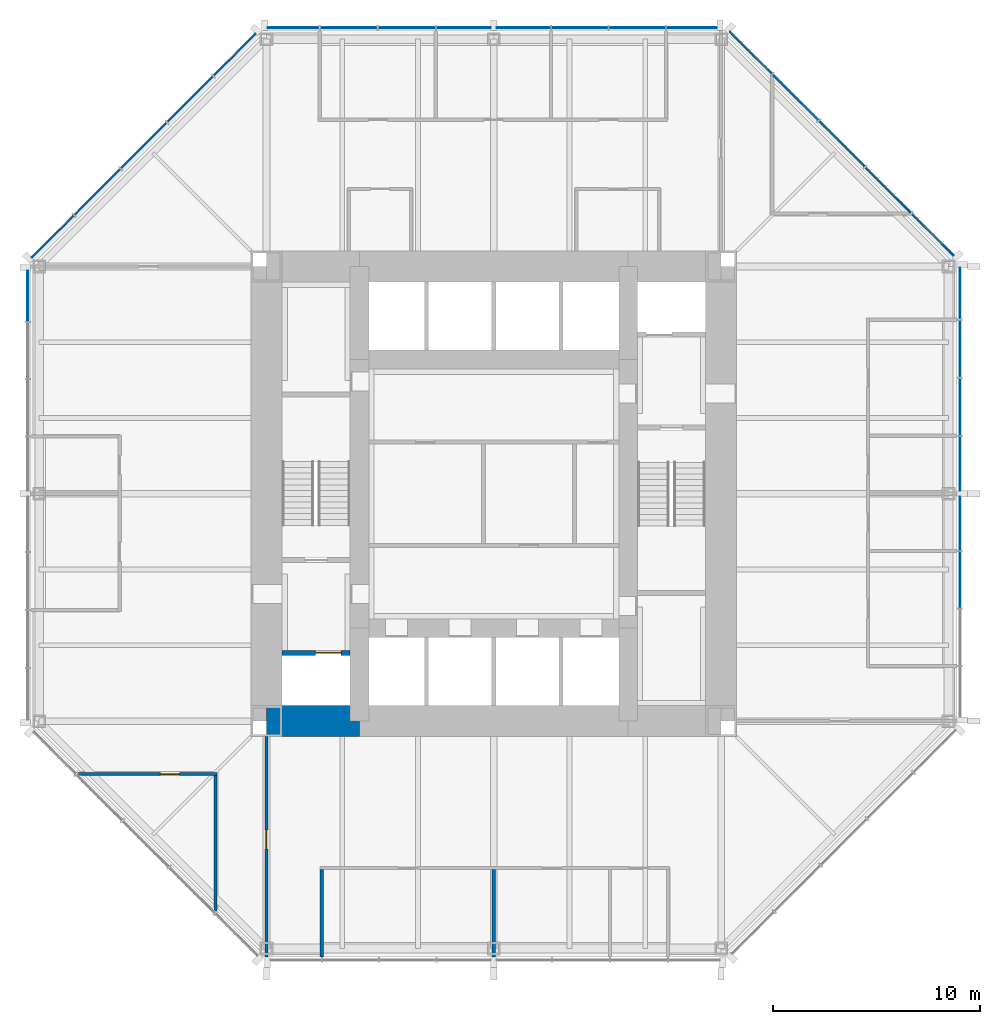
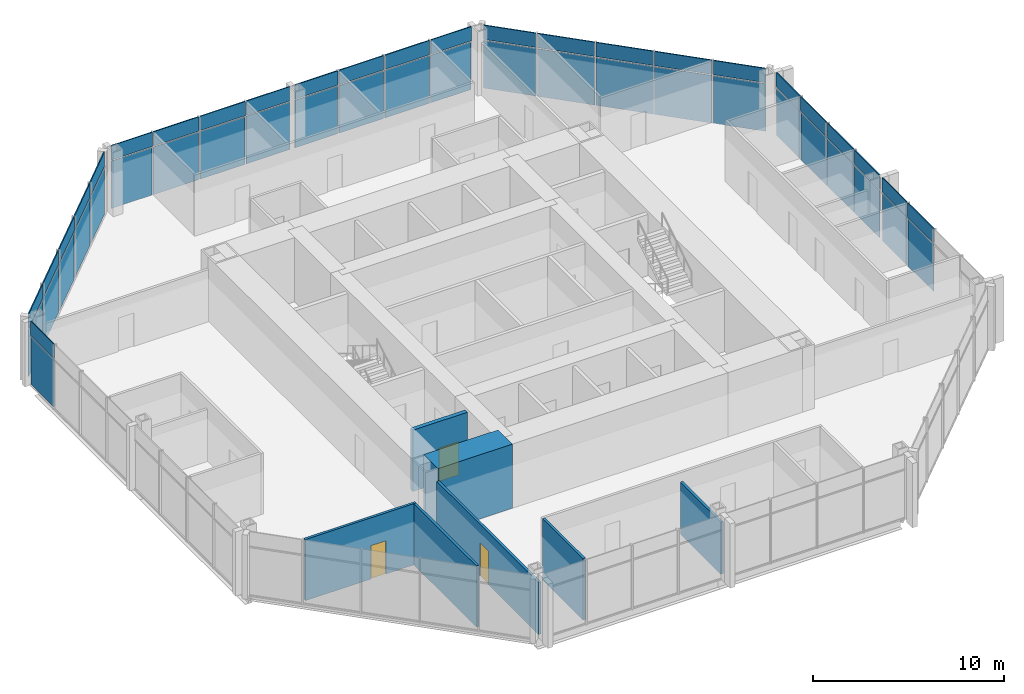
# One storey, part 8 of 12: 50 plates, 7 walls, 3 doors, 3 openings, 5 elements without a shape of their own.
"""IFC4 building model written with IfcOpenShell, lengths in metres."""

from ifc_helpers import new_model, si_unit, direction, frame, frame_2d, origin, origin_2d, place, context, subcontext, project, spatial, rectangle, extrude, material, layer, layer_set, type_object, element, fill, aggregate, save


model = new_model("IFC4")

# Units and contexts
model_context = context("Model", 3, precision=1e-05, world=origin(), true_north=direction((0.0, 1.0)))
body_context = subcontext(model_context, "Body", "Model", "MODEL_VIEW")
ifc_project = project(units=[si_unit("LENGTHUNIT", "METRE"), si_unit("AREAUNIT", "SQUARE_METRE"), si_unit("VOLUMEUNIT", "CUBIC_METRE"), si_unit("PLANEANGLEUNIT", "RADIAN"), si_unit("MASSUNIT", "GRAM", prefix="KILO")], contexts=[model_context])

# Site, building, storey
site_placement = place(None, origin())
site = spatial("IfcSite", under=ifc_project, at=site_placement, CompositionType="ELEMENT")
building_placement = place(site_placement, origin())
building = spatial("IfcBuilding", under=site, at=building_placement, Name="Trevanion Tower", CompositionType="ELEMENT")
storey_placement = place(building_placement, frame((0.0, 0.0, 154.10009765625)))
storey = spatial("IfcBuildingStorey", under=building, at=storey_placement, Name="L36", CompositionType="ELEMENT", Elevation=154.10009765625)

# Curtain wall, plates
ifc_material_1 = material(Name="Aluminium and glass", Category="aluminium")
curtain_wall_type = type_object("IfcCurtainWallType", Name="CW2 curtain wall", PredefinedType="USERDEFINED", material=ifc_material_1)
curtain_wall_1_placement = place(storey_placement, origin())
curtain_wall_1 = element("IfcCurtainWall", 1, at=curtain_wall_1_placement, inside=storey, type_object=curtain_wall_type, Name="CW2 L36 0", ObjectType="UNITISED CURTAIN WALL", PredefinedType="USERDEFINED")
ifc_material_2 = material(Name="Aluminium spandrel panel", Category="aluminium")
ifc_layer_1 = layer(ifc_material_2, 0.06005859375)
ifc_layer_set_1 = layer_set([ifc_layer_1], Name="CW2 spandrel panel")
plate_type_1 = type_object("IfcPlateType", Name="CW2 spandrel panel", PredefinedType="CURTAIN_PANEL", material=ifc_layer_set_1)
plate_1_placement = place(storey_placement, frame((22.550048828125, -4.16162109375, 2.997314453125), z_axis=(0.0, 0.0, 1.0), x_axis=(0.0, 1.0, 0.0)))
plate_1 = element("IfcPlate", 2, at=plate_1_placement, type_object=plate_type_1, Name="CW2 panel 3.2", PredefinedType="CURTAIN_PANEL", context=body_context, shape_type="SweptSolid", body=[
    extrude(rectangle(XDim=2.699462890625, YDim=0.06005859375, at=origin_2d()), origin(), (0.0, 0.0, 1.0), 0.91259765625),
])
plate_2_placement = place(storey_placement, frame((22.550048828125, -1.443603515625, 2.997314453125), z_axis=(0.0, 0.0, 1.0), x_axis=(0.0, 1.0, 0.0)))
plate_2 = element("IfcPlate", 3, at=plate_2_placement, type_object=plate_type_1, Name="CW2 panel 4.2", PredefinedType="CURTAIN_PANEL", context=body_context, shape_type="SweptSolid", body=[
    extrude(rectangle(XDim=2.5869140625, YDim=0.06005859375, at=origin_2d()), origin(), (0.0, 0.0, 1.0), 0.91259765625),
])
plate_3_placement = place(storey_placement, frame((22.550048828125, 1.459716796875, 2.997314453125), z_axis=(0.0, 0.0, 1.0), x_axis=(0.0, 1.0, 0.0)))
plate_3 = element("IfcPlate", 4, at=plate_3_placement, type_object=plate_type_1, Name="CW2 panel 5.2", PredefinedType="CURTAIN_PANEL", context=body_context, shape_type="SweptSolid", body=[
    extrude(rectangle(XDim=2.619384765625, YDim=0.06005859375, at=origin_2d()), origin(), (0.0, 0.0, 1.0), 0.91259765625),
])
plate_4_placement = place(storey_placement, frame((22.550048828125, 4.21044921875, 2.997314453125), z_axis=(0.0, 0.0, 1.0), x_axis=(0.0, 1.0, 0.0)))
plate_4 = element("IfcPlate", 5, at=plate_4_placement, type_object=plate_type_1, Name="CW2 panel 6.2", PredefinedType="CURTAIN_PANEL", context=body_context, shape_type="SweptSolid", body=[
    extrude(rectangle(XDim=2.73193359375, YDim=0.06005859375, at=origin_2d()), origin(), (0.0, 0.0, 1.0), 0.91259765625),
])
plate_5_placement = place(storey_placement, frame((22.550048828125, 7.017333984375, 2.997314453125), z_axis=(0.0, 0.0, 1.0), x_axis=(0.0, 1.0, 0.0)))
plate_5 = element("IfcPlate", 6, at=plate_5_placement, type_object=plate_type_1, Name="CW2 panel 7.2", PredefinedType="CURTAIN_PANEL", context=body_context, shape_type="SweptSolid", body=[
    extrude(rectangle(XDim=2.73193359375, YDim=0.06005859375, at=origin_2d()), origin(), (0.0, 0.0, 1.0), 0.91259765625),
])
plate_6_placement = place(storey_placement, frame((22.550048828125, 9.693115234375, 2.997314453125), z_axis=(0.0, 0.0, 1.0), x_axis=(0.0, 1.0, 0.0)))
plate_6 = element("IfcPlate", 7, at=plate_6_placement, type_object=plate_type_1, Name="CW2 panel 8.2", PredefinedType="CURTAIN_PANEL", context=body_context, shape_type="SweptSolid", body=[
    extrude(rectangle(XDim=2.469482421875, YDim=0.06005859375, at=origin_2d()), origin(), (0.0, 0.0, 1.0), 0.91259765625),
])

curtain_wall_2_placement = place(storey_placement, origin())
curtain_wall_2 = element("IfcCurtainWall", 8, at=curtain_wall_2_placement, inside=storey, type_object=curtain_wall_type, Name="CW2 L36 1", ObjectType="UNITISED CURTAIN WALL", PredefinedType="USERDEFINED")
plate_7_placement = place(storey_placement, frame((21.2421875, 12.53564453125, 2.997314453125), z_axis=(0.0, 0.0, 1.0), x_axis=(-0.707106781187, 0.707106781187, 0.0)))
plate_7 = element("IfcPlate", 9, at=plate_7_placement, type_object=plate_type_1, Name="CW2 panel 1.2", PredefinedType="CURTAIN_PANEL", context=body_context, shape_type="SweptSolid", body=[
    extrude(rectangle(XDim=2.8388671875, YDim=0.06005859375, at=origin_2d()), origin(), (0.0, 0.0, 1.0), 0.91259765625),
])
plate_8_placement = place(storey_placement, frame((19.089111328125, 14.688720703125, 2.997314453125), z_axis=(0.0, 0.0, 1.0), x_axis=(-0.707106781187, 0.707106781187, 0.0)))
plate_8 = element("IfcPlate", 10, at=plate_8_placement, type_object=plate_type_1, Name="CW2 panel 2.2", PredefinedType="CURTAIN_PANEL", context=body_context, shape_type="SweptSolid", body=[
    extrude(rectangle(XDim=3.101318359375, YDim=0.06005859375, at=origin_2d()), origin(), (0.0, 0.0, 1.0), 0.91259765625),
])
plate_9_placement = place(storey_placement, frame((16.843017578125, 16.934814453125, 2.997314453125), z_axis=(0.0, 0.0, 1.0), x_axis=(-0.707106781187, 0.707106781187, 0.0)))
plate_9 = element("IfcPlate", 11, at=plate_9_placement, type_object=plate_type_1, Name="CW2 panel 3.2", PredefinedType="CURTAIN_PANEL", context=body_context, shape_type="SweptSolid", body=[
    extrude(rectangle(XDim=3.101318359375, YDim=0.06005859375, at=origin_2d()), origin(), (0.0, 0.0, 1.0), 0.91259765625),
])
plate_10_placement = place(storey_placement, frame((14.596923828125, 19.180908203125, 2.997314453125), z_axis=(0.0, 0.0, 1.0), x_axis=(-0.707106781187, 0.707106781187, 0.0)))
plate_10 = element("IfcPlate", 12, at=plate_10_placement, type_object=plate_type_1, Name="CW2 panel 4.2", PredefinedType="CURTAIN_PANEL", context=body_context, shape_type="SweptSolid", body=[
    extrude(rectangle(XDim=3.101318359375, YDim=0.06005859375, at=origin_2d()), origin(), (0.0, 0.0, 1.0), 0.91259765625),
])
plate_11_placement = place(storey_placement, frame((12.443603515625, 21.334228515625, 2.997314453125), z_axis=(0.0, 0.0, 1.0), x_axis=(-0.707106781187, 0.707106781187, 0.0)))
plate_11 = element("IfcPlate", 13, at=plate_11_placement, type_object=plate_type_1, Name="CW2 panel 5.2", PredefinedType="CURTAIN_PANEL", context=body_context, shape_type="SweptSolid", body=[
    extrude(rectangle(XDim=2.8388671875, YDim=0.06005859375, at=origin_2d()), origin(), (0.0, 0.0, 1.0), 0.91259765625),
])

curtain_wall_3_placement = place(storey_placement, origin())
curtain_wall_3 = element("IfcCurtainWall", 14, at=curtain_wall_3_placement, inside=storey, type_object=curtain_wall_type, Name="CW2 L36 2", ObjectType="UNITISED CURTAIN WALL", PredefinedType="USERDEFINED")
plate_12_placement = place(storey_placement, frame((9.579345703125, 22.550048828125, 2.997314453125), z_axis=(0.0, 0.0, 1.0), x_axis=(-1.0, 0.0, 0.0)))
plate_12 = element("IfcPlate", 15, at=plate_12_placement, type_object=plate_type_1, Name="CW2 panel 1.2", PredefinedType="CURTAIN_PANEL", context=body_context, shape_type="SweptSolid", body=[
    extrude(rectangle(XDim=2.43701171875, YDim=0.06005859375, at=origin_2d()), origin(), (0.0, 0.0, 1.0), 0.91259765625),
])
plate_13_placement = place(storey_placement, frame((6.93603515625, 22.550048828125, 2.997314453125), z_axis=(0.0, 0.0, 1.0), x_axis=(-1.0, 0.0, 0.0)))
plate_13 = element("IfcPlate", 16, at=plate_13_placement, type_object=plate_type_1, Name="CW2 panel 2.2", PredefinedType="CURTAIN_PANEL", context=body_context, shape_type="SweptSolid", body=[
    extrude(rectangle(XDim=2.699462890625, YDim=0.06005859375, at=origin_2d()), origin(), (0.0, 0.0, 1.0), 0.91259765625),
])
plate_14_placement = place(storey_placement, frame((4.16162109375, 22.550048828125, 2.997314453125), z_axis=(0.0, 0.0, 1.0), x_axis=(-1.0, 0.0, 0.0)))
plate_14 = element("IfcPlate", 17, at=plate_14_placement, type_object=plate_type_1, Name="CW2 panel 3.2", PredefinedType="CURTAIN_PANEL", context=body_context, shape_type="SweptSolid", body=[
    extrude(rectangle(XDim=2.699462890625, YDim=0.06005859375, at=origin_2d()), origin(), (0.0, 0.0, 1.0), 0.91259765625),
])
plate_15_placement = place(storey_placement, frame((1.443603515625, 22.550048828125, 2.997314453125), z_axis=(0.0, 0.0, 1.0), x_axis=(-1.0, 0.0, 0.0)))
plate_15 = element("IfcPlate", 18, at=plate_15_placement, type_object=plate_type_1, Name="CW2 panel 4.2", PredefinedType="CURTAIN_PANEL", context=body_context, shape_type="SweptSolid", body=[
    extrude(rectangle(XDim=2.5869140625, YDim=0.06005859375, at=origin_2d()), origin(), (0.0, 0.0, 1.0), 0.91259765625),
])
plate_16_placement = place(storey_placement, frame((-1.459716796875, 22.550048828125, 2.997314453125), z_axis=(0.0, 0.0, 1.0), x_axis=(-1.0, 0.0, 0.0)))
plate_16 = element("IfcPlate", 19, at=plate_16_placement, type_object=plate_type_1, Name="CW2 panel 5.2", PredefinedType="CURTAIN_PANEL", context=body_context, shape_type="SweptSolid", body=[
    extrude(rectangle(XDim=2.619384765625, YDim=0.06005859375, at=origin_2d()), origin(), (0.0, 0.0, 1.0), 0.91259765625),
])
plate_17_placement = place(storey_placement, frame((-4.21044921875, 22.550048828125, 2.997314453125), z_axis=(0.0, 0.0, 1.0), x_axis=(-1.0, 0.0, 0.0)))
plate_17 = element("IfcPlate", 20, at=plate_17_placement, type_object=plate_type_1, Name="CW2 panel 6.2", PredefinedType="CURTAIN_PANEL", context=body_context, shape_type="SweptSolid", body=[
    extrude(rectangle(XDim=2.73193359375, YDim=0.06005859375, at=origin_2d()), origin(), (0.0, 0.0, 1.0), 0.91259765625),
])
plate_18_placement = place(storey_placement, frame((-7.017333984375, 22.550048828125, 2.997314453125), z_axis=(0.0, 0.0, 1.0), x_axis=(-1.0, 0.0, 0.0)))
plate_18 = element("IfcPlate", 21, at=plate_18_placement, type_object=plate_type_1, Name="CW2 panel 7.2", PredefinedType="CURTAIN_PANEL", context=body_context, shape_type="SweptSolid", body=[
    extrude(rectangle(XDim=2.73193359375, YDim=0.06005859375, at=origin_2d()), origin(), (0.0, 0.0, 1.0), 0.91259765625),
])
plate_19_placement = place(storey_placement, frame((-9.693115234375, 22.550048828125, 2.997314453125), z_axis=(0.0, 0.0, 1.0), x_axis=(-1.0, 0.0, 0.0)))
plate_19 = element("IfcPlate", 22, at=plate_19_placement, type_object=plate_type_1, Name="CW2 panel 8.2", PredefinedType="CURTAIN_PANEL", context=body_context, shape_type="SweptSolid", body=[
    extrude(rectangle(XDim=2.469482421875, YDim=0.06005859375, at=origin_2d()), origin(), (0.0, 0.0, 1.0), 0.91259765625),
])

curtain_wall_4_placement = place(storey_placement, origin())
curtain_wall_4 = element("IfcCurtainWall", 23, at=curtain_wall_4_placement, inside=storey, type_object=curtain_wall_type, Name="CW2 L36 3", ObjectType="UNITISED CURTAIN WALL", PredefinedType="USERDEFINED")
plate_20_placement = place(storey_placement, frame((-12.53564453125, 21.2421875, 2.997314453125), z_axis=(0.0, 0.0, 1.0), x_axis=(-0.707106781187, -0.707106781187, 0.0)))
plate_20 = element("IfcPlate", 24, at=plate_20_placement, type_object=plate_type_1, Name="CW2 panel 1.2", PredefinedType="CURTAIN_PANEL", context=body_context, shape_type="SweptSolid", body=[
    extrude(rectangle(XDim=2.8388671875, YDim=0.06005859375, at=origin_2d()), origin(), (0.0, 0.0, 1.0), 0.91259765625),
])
plate_21_placement = place(storey_placement, frame((-14.688720703125, 19.089111328125, 2.997314453125), z_axis=(0.0, 0.0, 1.0), x_axis=(-0.707106781187, -0.707106781187, 0.0)))
plate_21 = element("IfcPlate", 25, at=plate_21_placement, type_object=plate_type_1, Name="CW2 panel 2.2", PredefinedType="CURTAIN_PANEL", context=body_context, shape_type="SweptSolid", body=[
    extrude(rectangle(XDim=3.101318359375, YDim=0.06005859375, at=origin_2d()), origin(), (0.0, 0.0, 1.0), 0.91259765625),
])
plate_22_placement = place(storey_placement, frame((-16.934814453125, 16.843017578125, 2.997314453125), z_axis=(0.0, 0.0, 1.0), x_axis=(-0.707106781187, -0.707106781187, 0.0)))
plate_22 = element("IfcPlate", 26, at=plate_22_placement, type_object=plate_type_1, Name="CW2 panel 3.2", PredefinedType="CURTAIN_PANEL", context=body_context, shape_type="SweptSolid", body=[
    extrude(rectangle(XDim=3.101318359375, YDim=0.06005859375, at=origin_2d()), origin(), (0.0, 0.0, 1.0), 0.91259765625),
])
plate_23_placement = place(storey_placement, frame((-19.180908203125, 14.596923828125, 2.997314453125), z_axis=(0.0, 0.0, 1.0), x_axis=(-0.707106781187, -0.707106781187, 0.0)))
plate_23 = element("IfcPlate", 27, at=plate_23_placement, type_object=plate_type_1, Name="CW2 panel 4.2", PredefinedType="CURTAIN_PANEL", context=body_context, shape_type="SweptSolid", body=[
    extrude(rectangle(XDim=3.101318359375, YDim=0.06005859375, at=origin_2d()), origin(), (0.0, 0.0, 1.0), 0.91259765625),
])
plate_24_placement = place(storey_placement, frame((-21.334228515625, 12.443603515625, 2.997314453125), z_axis=(0.0, 0.0, 1.0), x_axis=(-0.707106781187, -0.707106781187, 0.0)))
plate_24 = element("IfcPlate", 28, at=plate_24_placement, type_object=plate_type_1, Name="CW2 panel 5.2", PredefinedType="CURTAIN_PANEL", context=body_context, shape_type="SweptSolid", body=[
    extrude(rectangle(XDim=2.8388671875, YDim=0.06005859375, at=origin_2d()), origin(), (0.0, 0.0, 1.0), 0.91259765625),
])

# Curtain wall, plate
curtain_wall_5_placement = place(storey_placement, origin())
curtain_wall_5 = element("IfcCurtainWall", 29, at=curtain_wall_5_placement, inside=storey, type_object=curtain_wall_type, Name="CW2 L36 4", ObjectType="UNITISED CURTAIN WALL", PredefinedType="USERDEFINED")
plate_25_placement = place(storey_placement, frame((-22.550048828125, 9.579345703125, 2.997314453125), z_axis=(0.0, 0.0, 1.0), x_axis=(0.0, -1.0, 0.0)))
plate_25 = element("IfcPlate", 30, at=plate_25_placement, type_object=plate_type_1, Name="CW2 panel 1.2", PredefinedType="CURTAIN_PANEL", context=body_context, shape_type="SweptSolid", body=[
    extrude(rectangle(XDim=2.43701171875, YDim=0.06005859375, at=origin_2d()), origin(), (0.0, 0.0, 1.0), 0.91259765625),
])

# Plate
ifc_material_3 = material(Name="Insulating glass unit", Category="glass")
ifc_layer_2 = layer(ifc_material_3, 0.028076171875)
ifc_layer_set_2 = layer_set([ifc_layer_2], Name="CW2 vision panel")
plate_type_2 = type_object("IfcPlateType", Name="CW2 vision panel", PredefinedType="CURTAIN_PANEL", material=ifc_layer_set_2)
plate_26_placement = place(storey_placement, frame((22.550048828125, -4.16162109375, -0.115234375), z_axis=(0.0, 0.0, 1.0), x_axis=(0.0, 1.0, 0.0)))
plate_26 = element("IfcPlate", 31, at=plate_26_placement, type_object=plate_type_2, Name="CW2 panel 3.1", PredefinedType="CURTAIN_PANEL", context=body_context, shape_type="SweptSolid", body=[
    extrude(rectangle(XDim=2.699462890625, YDim=0.028076171875, at=origin_2d()), origin(), (0.0, 0.0, 1.0), 3.03759765625),
])

plate_27_placement = place(storey_placement, frame((22.550048828125, -1.443603515625, -0.115234375), z_axis=(0.0, 0.0, 1.0), x_axis=(0.0, 1.0, 0.0)))
plate_27 = element("IfcPlate", 32, at=plate_27_placement, type_object=plate_type_2, Name="CW2 panel 4.1", PredefinedType="CURTAIN_PANEL", context=body_context, shape_type="SweptSolid", body=[
    extrude(rectangle(XDim=2.5869140625, YDim=0.028076171875, at=origin_2d()), origin(), (0.0, 0.0, 1.0), 3.03759765625),
])

plate_28_placement = place(storey_placement, frame((22.550048828125, 1.459716796875, -0.115234375), z_axis=(0.0, 0.0, 1.0), x_axis=(0.0, 1.0, 0.0)))
plate_28 = element("IfcPlate", 33, at=plate_28_placement, type_object=plate_type_2, Name="CW2 panel 5.1", PredefinedType="CURTAIN_PANEL", context=body_context, shape_type="SweptSolid", body=[
    extrude(rectangle(XDim=2.619384765625, YDim=0.028076171875, at=origin_2d()), origin(), (0.0, 0.0, 1.0), 3.03759765625),
])

plate_29_placement = place(storey_placement, frame((22.550048828125, 4.21044921875, -0.115234375), z_axis=(0.0, 0.0, 1.0), x_axis=(0.0, 1.0, 0.0)))
plate_29 = element("IfcPlate", 34, at=plate_29_placement, type_object=plate_type_2, Name="CW2 panel 6.1", PredefinedType="CURTAIN_PANEL", context=body_context, shape_type="SweptSolid", body=[
    extrude(rectangle(XDim=2.73193359375, YDim=0.028076171875, at=origin_2d()), origin(), (0.0, 0.0, 1.0), 3.03759765625),
])

plate_30_placement = place(storey_placement, frame((22.550048828125, 7.017333984375, -0.115234375), z_axis=(0.0, 0.0, 1.0), x_axis=(0.0, 1.0, 0.0)))
plate_30 = element("IfcPlate", 35, at=plate_30_placement, type_object=plate_type_2, Name="CW2 panel 7.1", PredefinedType="CURTAIN_PANEL", context=body_context, shape_type="SweptSolid", body=[
    extrude(rectangle(XDim=2.73193359375, YDim=0.028076171875, at=origin_2d()), origin(), (0.0, 0.0, 1.0), 3.03759765625),
])

plate_31_placement = place(storey_placement, frame((22.550048828125, 9.693115234375, -0.115234375), z_axis=(0.0, 0.0, 1.0), x_axis=(0.0, 1.0, 0.0)))
plate_31 = element("IfcPlate", 36, at=plate_31_placement, type_object=plate_type_2, Name="CW2 panel 8.1", PredefinedType="CURTAIN_PANEL", context=body_context, shape_type="SweptSolid", body=[
    extrude(rectangle(XDim=2.469482421875, YDim=0.028076171875, at=origin_2d()), origin(), (0.0, 0.0, 1.0), 3.03759765625),
])

aggregate(curtain_wall_1, [plate_26, plate_1, plate_27, plate_2, plate_28, plate_3, plate_29, plate_4, plate_30, plate_5, plate_31, plate_6])

plate_32_placement = place(storey_placement, frame((21.2421875, 12.53564453125, -0.115234375), z_axis=(0.0, 0.0, 1.0), x_axis=(-0.707106781187, 0.707106781187, 0.0)))
plate_32 = element("IfcPlate", 37, at=plate_32_placement, type_object=plate_type_2, Name="CW2 panel 1.1", PredefinedType="CURTAIN_PANEL", context=body_context, shape_type="SweptSolid", body=[
    extrude(rectangle(XDim=2.8388671875, YDim=0.028076171875, at=origin_2d()), origin(), (0.0, 0.0, 1.0), 3.03759765625),
])

plate_33_placement = place(storey_placement, frame((19.089111328125, 14.688720703125, -0.115234375), z_axis=(0.0, 0.0, 1.0), x_axis=(-0.707106781187, 0.707106781187, 0.0)))
plate_33 = element("IfcPlate", 38, at=plate_33_placement, type_object=plate_type_2, Name="CW2 panel 2.1", PredefinedType="CURTAIN_PANEL", context=body_context, shape_type="SweptSolid", body=[
    extrude(rectangle(XDim=3.101318359375, YDim=0.028076171875, at=origin_2d()), origin(), (0.0, 0.0, 1.0), 3.03759765625),
])

plate_34_placement = place(storey_placement, frame((16.843017578125, 16.934814453125, -0.115234375), z_axis=(0.0, 0.0, 1.0), x_axis=(-0.707106781187, 0.707106781187, 0.0)))
plate_34 = element("IfcPlate", 39, at=plate_34_placement, type_object=plate_type_2, Name="CW2 panel 3.1", PredefinedType="CURTAIN_PANEL", context=body_context, shape_type="SweptSolid", body=[
    extrude(rectangle(XDim=3.101318359375, YDim=0.028076171875, at=origin_2d()), origin(), (0.0, 0.0, 1.0), 3.03759765625),
])

plate_35_placement = place(storey_placement, frame((14.596923828125, 19.180908203125, -0.115234375), z_axis=(0.0, 0.0, 1.0), x_axis=(-0.707106781187, 0.707106781187, 0.0)))
plate_35 = element("IfcPlate", 40, at=plate_35_placement, type_object=plate_type_2, Name="CW2 panel 4.1", PredefinedType="CURTAIN_PANEL", context=body_context, shape_type="SweptSolid", body=[
    extrude(rectangle(XDim=3.101318359375, YDim=0.028076171875, at=origin_2d()), origin(), (0.0, 0.0, 1.0), 3.03759765625),
])

plate_36_placement = place(storey_placement, frame((12.443603515625, 21.334228515625, -0.115234375), z_axis=(0.0, 0.0, 1.0), x_axis=(-0.707106781187, 0.707106781187, 0.0)))
plate_36 = element("IfcPlate", 41, at=plate_36_placement, type_object=plate_type_2, Name="CW2 panel 5.1", PredefinedType="CURTAIN_PANEL", context=body_context, shape_type="SweptSolid", body=[
    extrude(rectangle(XDim=2.8388671875, YDim=0.028076171875, at=origin_2d()), origin(), (0.0, 0.0, 1.0), 3.03759765625),
])

aggregate(curtain_wall_2, [plate_32, plate_7, plate_33, plate_8, plate_34, plate_9, plate_35, plate_10, plate_36, plate_11])

plate_37_placement = place(storey_placement, frame((9.579345703125, 22.550048828125, -0.115234375), z_axis=(0.0, 0.0, 1.0), x_axis=(-1.0, 0.0, 0.0)))
plate_37 = element("IfcPlate", 42, at=plate_37_placement, type_object=plate_type_2, Name="CW2 panel 1.1", PredefinedType="CURTAIN_PANEL", context=body_context, shape_type="SweptSolid", body=[
    extrude(rectangle(XDim=2.43701171875, YDim=0.028076171875, at=origin_2d()), origin(), (0.0, 0.0, 1.0), 3.03759765625),
])

plate_38_placement = place(storey_placement, frame((6.93603515625, 22.550048828125, -0.115234375), z_axis=(0.0, 0.0, 1.0), x_axis=(-1.0, 0.0, 0.0)))
plate_38 = element("IfcPlate", 43, at=plate_38_placement, type_object=plate_type_2, Name="CW2 panel 2.1", PredefinedType="CURTAIN_PANEL", context=body_context, shape_type="SweptSolid", body=[
    extrude(rectangle(XDim=2.699462890625, YDim=0.028076171875, at=origin_2d()), origin(), (0.0, 0.0, 1.0), 3.03759765625),
])

plate_39_placement = place(storey_placement, frame((4.16162109375, 22.550048828125, -0.115234375), z_axis=(0.0, 0.0, 1.0), x_axis=(-1.0, 0.0, 0.0)))
plate_39 = element("IfcPlate", 44, at=plate_39_placement, type_object=plate_type_2, Name="CW2 panel 3.1", PredefinedType="CURTAIN_PANEL", context=body_context, shape_type="SweptSolid", body=[
    extrude(rectangle(XDim=2.699462890625, YDim=0.028076171875, at=origin_2d()), origin(), (0.0, 0.0, 1.0), 3.03759765625),
])

plate_40_placement = place(storey_placement, frame((1.443603515625, 22.550048828125, -0.115234375), z_axis=(0.0, 0.0, 1.0), x_axis=(-1.0, 0.0, 0.0)))
plate_40 = element("IfcPlate", 45, at=plate_40_placement, type_object=plate_type_2, Name="CW2 panel 4.1", PredefinedType="CURTAIN_PANEL", context=body_context, shape_type="SweptSolid", body=[
    extrude(rectangle(XDim=2.5869140625, YDim=0.028076171875, at=origin_2d()), origin(), (0.0, 0.0, 1.0), 3.03759765625),
])

plate_41_placement = place(storey_placement, frame((-1.459716796875, 22.550048828125, -0.115234375), z_axis=(0.0, 0.0, 1.0), x_axis=(-1.0, 0.0, 0.0)))
plate_41 = element("IfcPlate", 46, at=plate_41_placement, type_object=plate_type_2, Name="CW2 panel 5.1", PredefinedType="CURTAIN_PANEL", context=body_context, shape_type="SweptSolid", body=[
    extrude(rectangle(XDim=2.619384765625, YDim=0.028076171875, at=origin_2d()), origin(), (0.0, 0.0, 1.0), 3.03759765625),
])

plate_42_placement = place(storey_placement, frame((-4.21044921875, 22.550048828125, -0.115234375), z_axis=(0.0, 0.0, 1.0), x_axis=(-1.0, 0.0, 0.0)))
plate_42 = element("IfcPlate", 47, at=plate_42_placement, type_object=plate_type_2, Name="CW2 panel 6.1", PredefinedType="CURTAIN_PANEL", context=body_context, shape_type="SweptSolid", body=[
    extrude(rectangle(XDim=2.73193359375, YDim=0.028076171875, at=origin_2d()), origin(), (0.0, 0.0, 1.0), 3.03759765625),
])

plate_43_placement = place(storey_placement, frame((-7.017333984375, 22.550048828125, -0.115234375), z_axis=(0.0, 0.0, 1.0), x_axis=(-1.0, 0.0, 0.0)))
plate_43 = element("IfcPlate", 48, at=plate_43_placement, type_object=plate_type_2, Name="CW2 panel 7.1", PredefinedType="CURTAIN_PANEL", context=body_context, shape_type="SweptSolid", body=[
    extrude(rectangle(XDim=2.73193359375, YDim=0.028076171875, at=origin_2d()), origin(), (0.0, 0.0, 1.0), 3.03759765625),
])

plate_44_placement = place(storey_placement, frame((-9.693115234375, 22.550048828125, -0.115234375), z_axis=(0.0, 0.0, 1.0), x_axis=(-1.0, 0.0, 0.0)))
plate_44 = element("IfcPlate", 49, at=plate_44_placement, type_object=plate_type_2, Name="CW2 panel 8.1", PredefinedType="CURTAIN_PANEL", context=body_context, shape_type="SweptSolid", body=[
    extrude(rectangle(XDim=2.469482421875, YDim=0.028076171875, at=origin_2d()), origin(), (0.0, 0.0, 1.0), 3.03759765625),
])

aggregate(curtain_wall_3, [plate_37, plate_12, plate_38, plate_13, plate_39, plate_14, plate_40, plate_15, plate_41, plate_16, plate_42, plate_17, plate_43, plate_18, plate_44, plate_19])

plate_45_placement = place(storey_placement, frame((-12.53564453125, 21.2421875, -0.115234375), z_axis=(0.0, 0.0, 1.0), x_axis=(-0.707106781187, -0.707106781187, 0.0)))
plate_45 = element("IfcPlate", 50, at=plate_45_placement, type_object=plate_type_2, Name="CW2 panel 1.1", PredefinedType="CURTAIN_PANEL", context=body_context, shape_type="SweptSolid", body=[
    extrude(rectangle(XDim=2.8388671875, YDim=0.028076171875, at=origin_2d()), origin(), (0.0, 0.0, 1.0), 3.03759765625),
])

plate_46_placement = place(storey_placement, frame((-14.688720703125, 19.089111328125, -0.115234375), z_axis=(0.0, 0.0, 1.0), x_axis=(-0.707106781187, -0.707106781187, 0.0)))
plate_46 = element("IfcPlate", 51, at=plate_46_placement, type_object=plate_type_2, Name="CW2 panel 2.1", PredefinedType="CURTAIN_PANEL", context=body_context, shape_type="SweptSolid", body=[
    extrude(rectangle(XDim=3.101318359375, YDim=0.028076171875, at=origin_2d()), origin(), (0.0, 0.0, 1.0), 3.03759765625),
])

plate_47_placement = place(storey_placement, frame((-16.934814453125, 16.843017578125, -0.115234375), z_axis=(0.0, 0.0, 1.0), x_axis=(-0.707106781187, -0.707106781187, 0.0)))
plate_47 = element("IfcPlate", 52, at=plate_47_placement, type_object=plate_type_2, Name="CW2 panel 3.1", PredefinedType="CURTAIN_PANEL", context=body_context, shape_type="SweptSolid", body=[
    extrude(rectangle(XDim=3.101318359375, YDim=0.028076171875, at=origin_2d()), origin(), (0.0, 0.0, 1.0), 3.03759765625),
])

plate_48_placement = place(storey_placement, frame((-19.180908203125, 14.596923828125, -0.115234375), z_axis=(0.0, 0.0, 1.0), x_axis=(-0.707106781187, -0.707106781187, 0.0)))
plate_48 = element("IfcPlate", 53, at=plate_48_placement, type_object=plate_type_2, Name="CW2 panel 4.1", PredefinedType="CURTAIN_PANEL", context=body_context, shape_type="SweptSolid", body=[
    extrude(rectangle(XDim=3.101318359375, YDim=0.028076171875, at=origin_2d()), origin(), (0.0, 0.0, 1.0), 3.03759765625),
])

plate_49_placement = place(storey_placement, frame((-21.334228515625, 12.443603515625, -0.115234375), z_axis=(0.0, 0.0, 1.0), x_axis=(-0.707106781187, -0.707106781187, 0.0)))
plate_49 = element("IfcPlate", 54, at=plate_49_placement, type_object=plate_type_2, Name="CW2 panel 5.1", PredefinedType="CURTAIN_PANEL", context=body_context, shape_type="SweptSolid", body=[
    extrude(rectangle(XDim=2.8388671875, YDim=0.028076171875, at=origin_2d()), origin(), (0.0, 0.0, 1.0), 3.03759765625),
])

aggregate(curtain_wall_4, [plate_45, plate_20, plate_46, plate_21, plate_47, plate_22, plate_48, plate_23, plate_49, plate_24])

plate_50_placement = place(storey_placement, frame((-22.550048828125, 9.579345703125, -0.115234375), z_axis=(0.0, 0.0, 1.0), x_axis=(0.0, -1.0, 0.0)))
plate_50 = element("IfcPlate", 55, at=plate_50_placement, type_object=plate_type_2, Name="CW2 panel 1.1", PredefinedType="CURTAIN_PANEL", context=body_context, shape_type="SweptSolid", body=[
    extrude(rectangle(XDim=2.43701171875, YDim=0.028076171875, at=origin_2d()), origin(), (0.0, 0.0, 1.0), 3.03759765625),
])

aggregate(curtain_wall_5, [plate_50, plate_25])

# Wall
ifc_material_4 = material(Name="Concrete 10,000 psi", Category="concrete")
ifc_layer_3 = layer(ifc_material_4, 1.5)
ifc_layer_set_3 = layer_set([ifc_layer_3], Name="CW1 core wall 1500")
wall_type_1 = type_object("IfcWallType", Name="CW1 core wall 1500", PredefinedType="SHEAR", material=ifc_layer_set_3)
wall_1_placement = place(storey_placement, frame((-11.0, -11.0, 0.0), z_axis=(0.0, 0.0, 1.0), x_axis=(1.0, 0.0, 0.0)))
element("IfcWall", 56, at=wall_1_placement, inside=storey, type_object=wall_type_1, Name="CW1 CS1 L36", PredefinedType="SHEAR", context=body_context, shape_type="SweptSolid", body=[
    extrude(rectangle(XDim=4.5, YDim=1.5, at=frame_2d((2.25, 0.0))), origin(), (0.0, 0.0, 1.0), 4.099853515625),
])

# Wall, opening, door
ifc_material_5 = material(Name="Gypsum board on steel studs", Category="steel")
ifc_layer_4 = layer(ifc_material_5, 0.14990234375)
ifc_layer_set_4 = layer_set([ifc_layer_4], Name="PT1 partition 150")
wall_type_2 = type_object("IfcWallType", Name="PT1 partition 150", PredefinedType="PARTITIONING", material=ifc_layer_set_4)
wall_2_placement = place(storey_placement, frame((-11.0, -11.75, 0.0), z_axis=(0.0, 0.0, 1.0), x_axis=(0.0, -1.0, 0.0)))
wall_2 = element("IfcWall", 57, at=wall_2_placement, inside=storey, type_object=wall_type_2, Name="PT1 L36 ZW2", PredefinedType="PARTITIONING", context=body_context, shape_type="SweptSolid", body=[
    extrude(rectangle(XDim=10.6650390625, YDim=0.14990234375, at=frame_2d((5.33251953125, 0.0))), origin(), (0.0, 0.0, 1.0), 3.32568359375),
])
opening_1_placement = place(wall_2_placement, frame((4.517578125, 0.0, 0.0)))
opening_1 = element("IfcOpeningElement", 58, at=opening_1_placement, cuts=wall_2, Name="Opening 36-020", PredefinedType="OPENING", context=body_context, shape_type="SweptSolid", body=[
    extrude(rectangle(XDim=0.9150390625, YDim=2.134033203125, at=frame_2d((0.45751953125, 1.06689453125))), frame((0.0, 0.0849609375, 0.0), z_axis=(0.0, -1.0, 0.0), x_axis=(1.0, 0.0, 0.0)), (0.0, 0.0, 1.0), 0.169921875),
])
ifc_material_6 = material(Name="Timber veneer, solid core", Category="wood")
door_type_1 = type_object("IfcDoorType", Name="D1 office and meeting room door", OperationType="SINGLE_SWING_LEFT", PredefinedType="DOOR", material=ifc_material_6)
door_1_placement = place(opening_1_placement, origin())
door_1 = element("IfcDoor", 59, at=door_1_placement, inside=storey, type_object=door_type_1, Name="Door 36-020", OperationType="SINGLE_SWING_LEFT", OverallHeight=2.134033203125, OverallWidth=0.9150390625, PredefinedType="DOOR", context=body_context, shape_type="SweptSolid", body=[
    extrude(rectangle(XDim=0.9150390625, YDim=2.134033203125, at=frame_2d((0.45751953125, 1.06689453125))), frame((0.0, 0.02490234375, 0.0), z_axis=(0.0, -1.0, 0.0), x_axis=(1.0, 0.0, 0.0)), (0.0, 0.0, 1.0), 0.050048828125),
])
fill(opening_1, door_1)

wall_3_placement = place(storey_placement, frame((-13.39892578125, -13.56591796875, 0.0), z_axis=(0.0, 0.0, 1.0), x_axis=(-1.0, 0.0, 0.0)))
wall_3 = element("IfcWall", 60, at=wall_3_placement, inside=storey, type_object=wall_type_2, Name="PT1 L36 KW2a", PredefinedType="PARTITIONING", context=body_context, shape_type="SweptSolid", body=[
    extrude(rectangle(XDim=6.697998046875, YDim=0.14990234375, at=frame_2d((3.34912109375, 0.0))), origin(), (0.0, 0.0, 1.0), 3.909912109375),
])
opening_2_placement = place(wall_3_placement, frame((1.8173828125, 0.0, 0.0)))
opening_2 = element("IfcOpeningElement", 61, at=opening_2_placement, cuts=wall_3, Name="Opening 36-023", PredefinedType="OPENING", context=body_context, shape_type="SweptSolid", body=[
    extrude(rectangle(XDim=0.9150390625, YDim=2.134033203125, at=frame_2d((0.45751953125, 1.06689453125))), frame((0.0, 0.0849609375, 0.0), z_axis=(0.0, -1.0, 0.0), x_axis=(1.0, 0.0, 0.0)), (0.0, 0.0, 1.0), 0.169921875),
])
door_2_placement = place(opening_2_placement, origin())
door_2 = element("IfcDoor", 62, at=door_2_placement, inside=storey, type_object=door_type_1, Name="Door 36-023", OperationType="SINGLE_SWING_LEFT", OverallHeight=2.134033203125, OverallWidth=0.9150390625, PredefinedType="DOOR", context=body_context, shape_type="SweptSolid", body=[
    extrude(rectangle(XDim=0.9150390625, YDim=2.134033203125, at=frame_2d((0.45751953125, 1.06689453125))), frame((0.0, 0.02490234375, 0.0), z_axis=(0.0, -1.0, 0.0), x_axis=(1.0, 0.0, 0.0)), (0.0, 0.0, 1.0), 0.050048828125),
])
fill(opening_2, door_2)

# Walls
wall_4_placement = place(storey_placement, frame((-13.47412109375, -13.64111328125, 0.0), z_axis=(0.0, 0.0, 1.0), x_axis=(0.0, -1.0, 0.0)))
element("IfcWall", 63, at=wall_4_placement, inside=storey, type_object=wall_type_2, Name="PT1 L36 KW2b", PredefinedType="PARTITIONING", context=body_context, shape_type="SweptSolid", body=[
    extrude(rectangle(XDim=6.5478515625, YDim=0.14990234375, at=frame_2d((3.27392578125, 0.0))), origin(), (0.0, 0.0, 1.0), 3.909912109375),
])
wall_5_placement = place(storey_placement, frame((-8.322998046875, -18.175048828125, 0.0), z_axis=(0.0, 0.0, 1.0), x_axis=(0.0, -1.0, 0.0)))
element("IfcWall", 64, at=wall_5_placement, inside=storey, type_object=wall_type_2, Name="PT1 L36 FC3S0", PredefinedType="PARTITIONING", context=body_context, shape_type="SweptSolid", body=[
    extrude(rectangle(XDim=4.239990234375, YDim=0.14990234375, at=frame_2d((2.1201171875, 0.0))), origin(), (0.0, 0.0, 1.0), 3.909912109375),
])
wall_6_placement = place(storey_placement, frame((0.0, -18.175048828125, 0.0), z_axis=(0.0, 0.0, 1.0), x_axis=(0.0, -1.0, 0.0)))
element("IfcWall", 65, at=wall_6_placement, inside=storey, type_object=wall_type_2, Name="PT1 L36 FC3S3", PredefinedType="PARTITIONING", context=body_context, shape_type="SweptSolid", body=[
    extrude(rectangle(XDim=4.239990234375, YDim=0.14990234375, at=frame_2d((2.1201171875, 0.0))), origin(), (0.0, 0.0, 1.0), 3.32568359375),
])

# Wall, opening, door
ifc_material_7 = material(Name="Concrete masonry, grouted, two-hour", Category="masonry")
ifc_layer_5 = layer(ifc_material_7, 0.25)
ifc_layer_set_5 = layer_set([ifc_layer_5], Name="PT3 partition 250 2 HR")
wall_type_3 = type_object("IfcWallType", Name="PT3 partition 250 2 HR", PredefinedType="PARTITIONING", material=ifc_layer_set_5)
wall_7_placement = place(storey_placement, frame((-6.949951171875, -7.699951171875, 0.0), z_axis=(0.0, 0.0, 1.0), x_axis=(-1.0, 0.0, 0.0)))
wall_7 = element("IfcWall", 66, at=wall_7_placement, inside=storey, type_object=wall_type_3, Name="PT3 L36 WP3", PredefinedType="PARTITIONING", context=body_context, shape_type="SweptSolid", body=[
    extrude(rectangle(XDim=3.300048828125, YDim=0.25, at=frame_2d((1.64990234375, 0.0))), origin(), (0.0, 0.0, 1.0), 3.909912109375),
])
opening_3_placement = place(wall_7_placement, frame((0.449951171875, 0.0, 0.0)))
opening_3 = element("IfcOpeningElement", 67, at=opening_3_placement, cuts=wall_7, Name="Opening 36-008", PredefinedType="OPENING", context=body_context, shape_type="SweptSolid", body=[
    extrude(rectangle(XDim=1.218994140625, YDim=2.134033203125, at=frame_2d((0.609375, 1.06689453125))), frame((0.0, 0.135009765625, 0.0), z_axis=(0.0, -1.0, 0.0), x_axis=(1.0, 0.0, 0.0)), (0.0, 0.0, 1.0), 0.27001953125),
])
ifc_material_8 = material(Name="Stainless steel, fire rated", Category="steel")
door_type_2 = type_object("IfcDoorType", Name="LD2 fire service lift landing door", OperationType="SLIDING_TO_LEFT", PredefinedType="DOOR", material=ifc_material_8)
door_3_placement = place(opening_3_placement, origin())
door_3 = element("IfcDoor", 68, at=door_3_placement, inside=storey, type_object=door_type_2, Name="Door 36-008", OperationType="SLIDING_TO_LEFT", OverallHeight=2.134033203125, OverallWidth=1.218994140625, PredefinedType="DOOR", context=body_context, shape_type="SweptSolid", body=[
    extrude(rectangle(XDim=1.218994140625, YDim=2.134033203125, at=frame_2d((0.609375, 1.06689453125))), frame((0.0, 0.02490234375, 0.0), z_axis=(0.0, -1.0, 0.0), x_axis=(1.0, 0.0, 0.0)), (0.0, 0.0, 1.0), 0.050048828125),
])
fill(opening_3, door_3)

save(model, "model.ifc")
